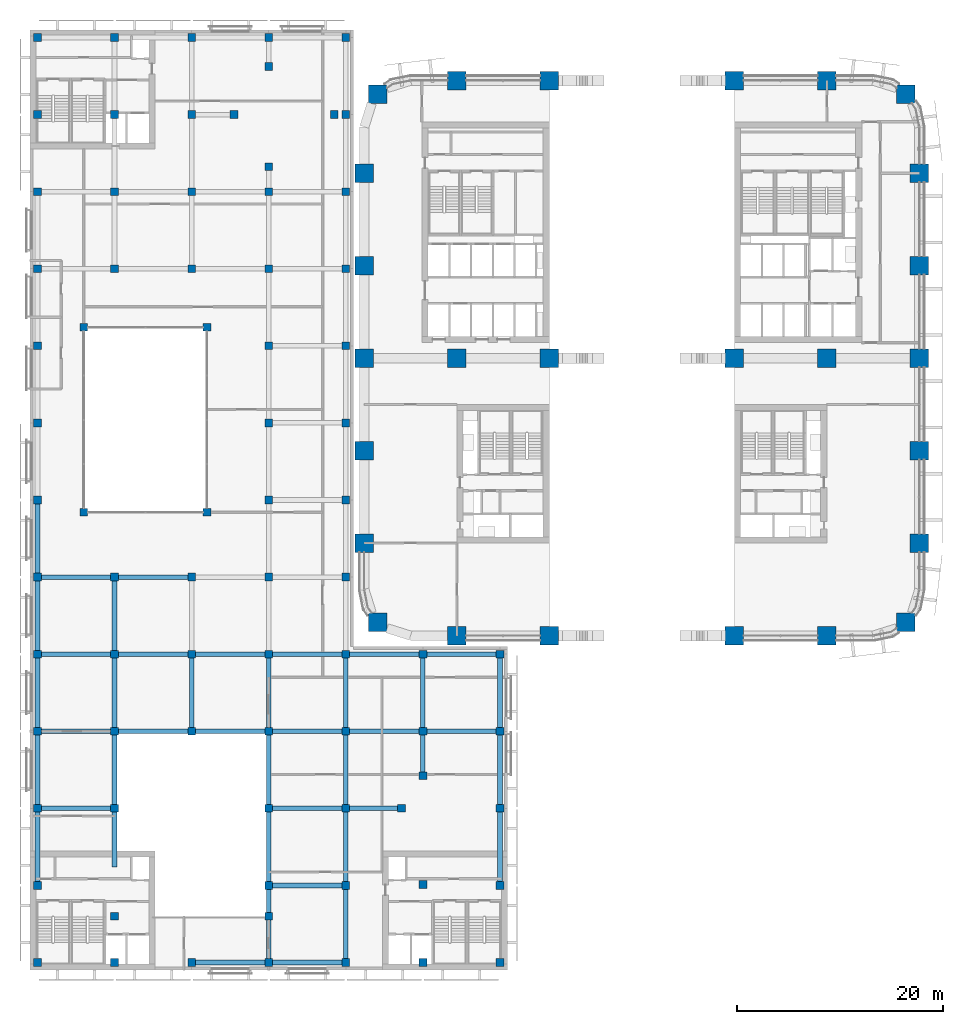
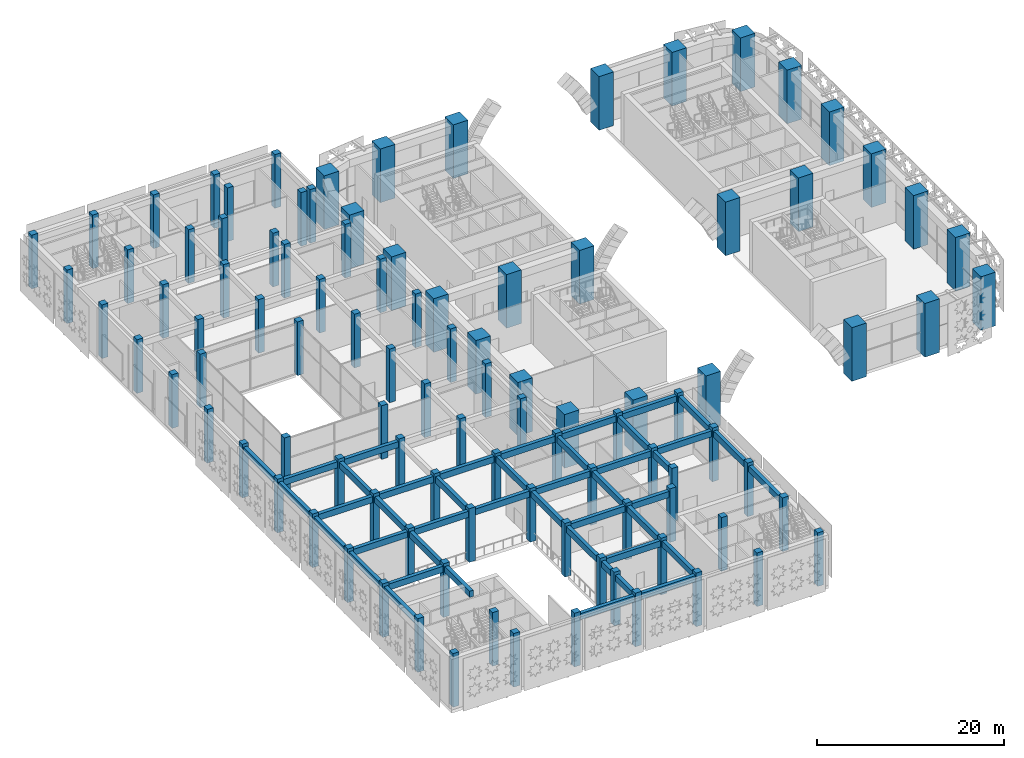
# One storey, part 1 of 42: 102 columns, 44 beams.
"""IFC4 building model written with IfcOpenShell, lengths in metres."""

from ifc_helpers import new_model, si_unit, direction, frame, origin, origin_2d, place, context, subcontext, project, spatial, rectangle, extrude, material, material_profile, profile_set, type_object, element, save


model = new_model("IFC4")

# Units and contexts
model_context = context("Model", 3, precision=1e-05, world=origin(), true_north=direction((0.0, 1.0)))
body_context = subcontext(model_context, "Body", "Model", "MODEL_VIEW")
ifc_project = project(units=[si_unit("LENGTHUNIT", "METRE"), si_unit("AREAUNIT", "SQUARE_METRE"), si_unit("VOLUMEUNIT", "CUBIC_METRE"), si_unit("PLANEANGLEUNIT", "RADIAN"), si_unit("MASSUNIT", "GRAM", prefix="KILO")], contexts=[model_context])

# Site, building, storey
site_placement = place(None, origin())
site = spatial("IfcSite", under=ifc_project, at=site_placement, CompositionType="ELEMENT")
building_placement = place(site_placement, origin())
building = spatial("IfcBuilding", under=site, at=building_placement, Name="Tessera Arch", CompositionType="ELEMENT")
storey_placement = place(building_placement, frame((0.0, 0.0, 14.0)))
storey = spatial("IfcBuildingStorey", under=building, at=storey_placement, Name="L02", CompositionType="ELEMENT", Elevation=14.0)

# Columns
ifc_material_1 = material(Name="Concrete C40/50", Category="concrete")
ifc_material_profile_1 = material_profile(ifc_material_1, rectangle(XDim=0.75, YDim=0.75, at=origin_2d()), Name="Museum column 750 x 750 Concrete C40/50")
ifc_profile_set_1 = profile_set([ifc_material_profile_1], Name="Concrete C40/50")
column_type_1 = type_object("IfcColumnType", Name="Museum column 750 x 750 Concrete C40/50", PredefinedType="COLUMN", material=ifc_profile_set_1)
for number, where, z_axis, x_axis, name in (
    (1, (-31.800048828125, -31.800048828125, 0.0), (0.0, 0.0, 1.0), (1.0, 0.0, 0.0), "Museum column P1Q1 L02"),
    (2, (-31.800048828125, -24.300048828125, 0.0), (0.0, 0.0, 1.0), (1.0, 0.0, 0.0), "Museum column P1Q2 L02"),
    (3, (-31.800048828125, -16.800048828125, 0.0), (0.0, 0.0, 1.0), (1.0, 0.0, 0.0), "Museum column P1Q3 L02"),
    (4, (-31.800048828125, -9.300048828125, 0.0), (0.0, 0.0, 1.0), (1.0, 0.0, 0.0), "Museum column P1Q4 L02"),
    (5, (-31.800048828125, -1.800048828125, 0.0), (0.0, 0.0, 1.0), (1.0, 0.0, 0.0), "Museum column P1Q5 L02"),
    (6, (-31.800048828125, 5.699951171875, 0.0), (0.0, 0.0, 1.0), (1.0, 0.0, 0.0), "Museum column P1Q6 L02"),
    (7, (-31.800048828125, 13.199951171875, 0.0), (0.0, 0.0, 1.0), (1.0, 0.0, 0.0), "Museum column P1Q7 L02"),
    (8, (-31.800048828125, 20.699951171875, 0.0), (0.0, 0.0, 1.0), (1.0, 0.0, 0.0), "Museum column P1Q8 L02"),
    (9, (-31.800048828125, 28.199951171875, 0.0), (0.0, 0.0, 1.0), (1.0, 0.0, 0.0), "Museum column P1Q9 L02"),
    (10, (-31.800048828125, 35.699951171875, 0.0), (0.0, 0.0, 1.0), (1.0, 0.0, 0.0), "Museum column P1Q10 L02"),
    (11, (-31.800048828125, 43.199951171875, 0.0), (0.0, 0.0, 1.0), (1.0, 0.0, 0.0), "Museum column P1Q11 L02"),
    (12, (-31.800048828125, 50.699951171875, 0.0), (0.0, 0.0, 1.0), (1.0, 0.0, 0.0), "Museum column P1Q12 L02"),
    (13, (-31.800048828125, 58.199951171875, 0.0), (0.0, 0.0, 1.0), (1.0, 0.0, 0.0), "Museum column P1Q13 L02"),
    (14, (-24.300048828125, -31.800048828125, 0.0), (0.0, 0.0, 1.0), (1.0, 0.0, 0.0), "Museum column P2Q1 L02"),
    (15, (-24.300048828125, -16.800048828125, 0.0), (0.0, 0.0, 1.0), (1.0, 0.0, 0.0), "Museum column P2Q3 L02"),
    (16, (-24.300048828125, -9.300048828125, 0.0), (0.0, 0.0, 1.0), (1.0, 0.0, 0.0), "Museum column P2Q4 L02"),
    (17, (-24.300048828125, -1.800048828125, 0.0), (0.0, 0.0, 1.0), (1.0, 0.0, 0.0), "Museum column P2Q5 L02"),
    (18, (-24.300048828125, 5.699951171875, 0.0), (0.0, 0.0, 1.0), (1.0, 0.0, 0.0), "Museum column P2Q6 L02"),
    (19, (-24.300048828125, 35.699951171875, 0.0), (0.0, 0.0, 1.0), (1.0, 0.0, 0.0), "Museum column P2Q10 L02"),
    (20, (-24.300048828125, 43.199951171875, 0.0), (0.0, 0.0, 1.0), (1.0, 0.0, 0.0), "Museum column P2Q11 L02"),
    (21, (-24.300048828125, 50.699951171875, 0.0), (0.0, 0.0, 1.0), (1.0, 0.0, 0.0), "Museum column P2Q12 L02"),
    (22, (-24.300048828125, 58.199951171875, 0.0), (0.0, 0.0, 1.0), (1.0, 0.0, 0.0), "Museum column P2Q13 L02"),
    (23, (-16.800048828125, -31.800048828125, 0.0), (0.0, 0.0, 1.0), (1.0, 0.0, 0.0), "Museum column P3Q1 L02"),
    (24, (-16.800048828125, -9.300048828125, 0.0), (0.0, 0.0, 1.0), (1.0, 0.0, 0.0), "Museum column P3Q4 L02"),
    (25, (-16.800048828125, -1.800048828125, 0.0), (0.0, 0.0, 1.0), (1.0, 0.0, 0.0), "Museum column P3Q5 L02"),
    (26, (-16.800048828125, 5.699951171875, 0.0), (0.0, 0.0, 1.0), (1.0, 0.0, 0.0), "Museum column P3Q6 L02"),
    (27, (-16.800048828125, 35.699951171875, 0.0), (0.0, 0.0, 1.0), (1.0, 0.0, 0.0), "Museum column P3Q10 L02"),
    (28, (-16.800048828125, 43.199951171875, 0.0), (0.0, 0.0, 1.0), (1.0, 0.0, 0.0), "Museum column P3Q11 L02"),
    (29, (-16.800048828125, 50.699951171875, 0.0), (0.0, 0.0, 1.0), (1.0, 0.0, 0.0), "Museum column P3Q12 L02"),
    (30, (-16.800048828125, 58.199951171875, 0.0), (0.0, 0.0, 1.0), (1.0, 0.0, 0.0), "Museum column P3Q13 L02"),
    (31, (-9.300048828125, -31.800048828125, 0.0), (0.0, 0.0, 1.0), (1.0, 0.0, 0.0), "Museum column P4Q1 L02"),
    (32, (-9.300048828125, -24.300048828125, 0.0), (0.0, 0.0, 1.0), (1.0, 0.0, 0.0), "Museum column P4Q2 L02"),
    (33, (-9.300048828125, -16.800048828125, 0.0), (0.0, 0.0, 1.0), (1.0, 0.0, 0.0), "Museum column P4Q3 L02"),
    (34, (-9.300048828125, -9.300048828125, 0.0), (0.0, 0.0, 1.0), (1.0, 0.0, 0.0), "Museum column P4Q4 L02"),
    (35, (-9.300048828125, -1.800048828125, 0.0), (0.0, 0.0, 1.0), (1.0, 0.0, 0.0), "Museum column P4Q5 L02"),
    (36, (-9.300048828125, 5.699951171875, 0.0), (0.0, 0.0, 1.0), (1.0, 0.0, 0.0), "Museum column P4Q6 L02"),
    (37, (-9.300048828125, 13.199951171875, 0.0), (0.0, 0.0, 1.0), (1.0, 0.0, 0.0), "Museum column P4Q7 L02"),
    (38, (-9.300048828125, 20.699951171875, 0.0), (0.0, 0.0, 1.0), (1.0, 0.0, 0.0), "Museum column P4Q8 L02"),
    (39, (-9.300048828125, 28.199951171875, 0.0), (0.0, 0.0, 1.0), (1.0, 0.0, 0.0), "Museum column P4Q9 L02"),
    (40, (-9.300048828125, 35.699951171875, 0.0), (0.0, 0.0, 1.0), (1.0, 0.0, 0.0), "Museum column P4Q10 L02"),
    (41, (-9.300048828125, 43.199951171875, 0.0), (0.0, 0.0, 1.0), (1.0, 0.0, 0.0), "Museum column P4Q11 L02"),
    (42, (-9.300048828125, 58.199951171875, 0.0), (0.0, 0.0, 1.0), (1.0, 0.0, 0.0), "Museum column P4Q13 L02"),
    (43, (-1.800048828125, -31.800048828125, 0.0), (0.0, 0.0, 1.0), (1.0, 0.0, 0.0), "Museum column P5Q1 L02"),
):
    element("IfcColumn", number, at=place(storey_placement, frame(where, z_axis=z_axis, x_axis=x_axis)), inside=storey, type_object=column_type_1, Name=name, PredefinedType="COLUMN", context=body_context, shape_type="SweptSolid", body=[
        extrude(rectangle(XDim=0.75, YDim=0.75, at=origin_2d()), origin(), (0.0, 0.0, 1.0), 7.0),
    ])
for number, where, z_axis, x_axis, name in (
    (44, (-1.800048828125, -24.300048828125, -0.409912109375), (0.0, 0.0, 1.0), (1.0, 0.0, 0.0), "Museum column P5Q2 L02"),
    (45, (-1.800048828125, -16.800048828125, -0.409912109375), (0.0, 0.0, 1.0), (1.0, 0.0, 0.0), "Museum column P5Q3 L02"),
    (46, (-1.800048828125, -9.300048828125, -0.409912109375), (0.0, 0.0, 1.0), (1.0, 0.0, 0.0), "Museum column P5Q4 L02"),
):
    element("IfcColumn", number, at=place(storey_placement, frame(where, z_axis=z_axis, x_axis=x_axis)), inside=storey, type_object=column_type_1, Name=name, PredefinedType="COLUMN", context=body_context, shape_type="SweptSolid", body=[
        extrude(rectangle(XDim=0.75, YDim=0.75, at=origin_2d()), origin(), (0.0, 0.0, 1.0), 7.409912109375),
    ])
for number, where, z_axis, x_axis, name in (
    (47, (-1.800048828125, -1.800048828125, 0.0), (0.0, 0.0, 1.0), (1.0, 0.0, 0.0), "Museum column P5Q5 L02"),
    (48, (-1.800048828125, 5.699951171875, 0.0), (0.0, 0.0, 1.0), (1.0, 0.0, 0.0), "Museum column P5Q6 L02"),
    (49, (-1.800048828125, 13.199951171875, 0.0), (0.0, 0.0, 1.0), (1.0, 0.0, 0.0), "Museum column P5Q7 L02"),
    (50, (-1.800048828125, 20.699951171875, 0.0), (0.0, 0.0, 1.0), (1.0, 0.0, 0.0), "Museum column P5Q8 L02"),
    (51, (-1.800048828125, 28.199951171875, 0.0), (0.0, 0.0, 1.0), (1.0, 0.0, 0.0), "Museum column P5Q9 L02"),
    (52, (-1.800048828125, 35.699951171875, 0.0), (0.0, 0.0, 1.0), (1.0, 0.0, 0.0), "Museum column P5Q10 L02"),
    (53, (-1.800048828125, 43.199951171875, 0.0), (0.0, 0.0, 1.0), (1.0, 0.0, 0.0), "Museum column P5Q11 L02"),
    (54, (-1.800048828125, 50.699951171875, 0.0), (0.0, 0.0, 1.0), (1.0, 0.0, 0.0), "Museum column P5Q12 L02"),
    (55, (-1.800048828125, 58.199951171875, 0.0), (0.0, 0.0, 1.0), (1.0, 0.0, 0.0), "Museum column P5Q13 L02"),
    (56, (5.699951171875, -31.800048828125, 0.0), (0.0, 0.0, 1.0), (1.0, 0.0, 0.0), "Museum column P6Q1 L02"),
    (57, (5.699951171875, -24.199951171875, 0.0), (0.0, 0.0, 1.0), (1.0, 0.0, 0.0), "Museum column P6Q2 L02"),
    (58, (5.699951171875, -9.300048828125, 0.0), (0.0, 0.0, 1.0), (1.0, 0.0, 0.0), "Museum column P6Q4 L02"),
    (59, (5.699951171875, -1.800048828125, 0.0), (0.0, 0.0, 1.0), (1.0, 0.0, 0.0), "Museum column P6Q5 L02"),
    (60, (13.199951171875, -31.800048828125, 0.0), (0.0, 0.0, 1.0), (1.0, 0.0, 0.0), "Museum column P7Q1 L02"),
    (61, (13.199951171875, -24.300048828125, 0.0), (0.0, 0.0, 1.0), (1.0, 0.0, 0.0), "Museum column P7Q2 L02"),
    (62, (13.199951171875, -16.800048828125, 0.0), (0.0, 0.0, 1.0), (1.0, 0.0, 0.0), "Museum column P7Q3 L02"),
    (63, (13.199951171875, -9.300048828125, 0.0), (0.0, 0.0, 1.0), (1.0, 0.0, 0.0), "Museum column P7Q4 L02"),
    (64, (13.199951171875, -1.800048828125, 0.0), (0.0, 0.0, 1.0), (1.0, 0.0, 0.0), "Museum column P7Q5 L02"),
    (65, (-27.300048828125, 12.0, 0.0), (0.0, 0.0, 1.0), (1.0, 0.0, 0.0), "Museum column C1 L02"),
    (66, (-15.300048828125, 12.0, 0.0), (0.0, 0.0, 1.0), (1.0, 0.0, 0.0), "Museum column C2 L02"),
    (67, (-15.300048828125, 30.0, 0.0), (0.0, 0.0, 1.0), (1.0, 0.0, 0.0), "Museum column C3 L02"),
    (68, (-27.300048828125, 30.0, 0.0), (0.0, 0.0, 1.0), (1.0, 0.0, 0.0), "Museum column C4 L02"),
    (69, (-24.300048828125, -27.300048828125, 0.0), (0.0, 0.0, 1.0), (1.0, 0.0, 0.0), "Museum column A1 L02"),
    (70, (-9.300048828125, -27.300048828125, 0.0), (0.0, 0.0, 1.0), (1.0, 0.0, 0.0), "Museum column A2 L02"),
    (71, (-12.675048828125, 50.699951171875, 0.0), (0.0, 0.0, 1.0), (1.0, 0.0, 0.0), "Museum column P3Q12TE L02"),
    (72, (-9.300048828125, 45.625, 0.0), (0.0, 0.0, 1.0), (1.0, 0.0, 0.0), "Museum column P4Q11TN L02"),
    (73, (-9.300048828125, 55.375, 0.0), (0.0, 0.0, 1.0), (1.0, 0.0, 0.0), "Museum column P4Q13TS L02"),
    (74, (3.625, -16.800048828125, 0.0), (0.0, 0.0, 1.0), (1.0, 0.0, 0.0), "Museum column P5Q3TE L02"),
    (75, (-2.925048828125, 50.699951171875, 0.0), (0.0, 0.0, 1.0), (1.0, 0.0, 0.0), "Museum column P5Q12TW L02"),
    (76, (5.699951171875, -13.625, 0.0), (0.0, 0.0, 1.0), (1.0, 0.0, 0.0), "Museum column P6Q4TS L02"),
):
    element("IfcColumn", number, at=place(storey_placement, frame(where, z_axis=z_axis, x_axis=x_axis)), inside=storey, type_object=column_type_1, Name=name, PredefinedType="COLUMN", context=body_context, shape_type="SweptSolid", body=[
        extrude(rectangle(XDim=0.75, YDim=0.75, at=origin_2d()), origin(), (0.0, 0.0, 1.0), 7.0),
    ])
ifc_material_2 = material(Name="Concrete C80/95", Category="concrete")
ifc_material_profile_2 = material_profile(ifc_material_2, rectangle(XDim=1.800048828125, YDim=1.800048828125, at=origin_2d()), Name="RC column 1800 x 1800 Concrete C80/95")
ifc_profile_set_2 = profile_set([ifc_material_profile_2], Name="Concrete C80/95")
column_type_2 = type_object("IfcColumnType", Name="RC column 1800 x 1800 Concrete C80/95", PredefinedType="COLUMN", material=ifc_profile_set_2)
for number, where, z_axis, x_axis, name in (
    (77, (1.318115234375, 1.318115234375, 0.0), (0.0, 0.0, 1.0), (1.0, 0.0, 0.0), "Column C1A L02"),
    (78, (0.0, 9.0, 0.0), (0.0, 0.0, 1.0), (1.0, 0.0, 0.0), "Column C1B L02"),
    (79, (0.0, 18.0, 0.0), (0.0, 0.0, 1.0), (1.0, 0.0, 0.0), "Column C1C L02"),
    (80, (0.0, 27.0, 0.0), (0.0, 0.0, 1.0), (1.0, 0.0, 0.0), "Column C1D L02"),
    (81, (0.0, 36.0, 0.0), (0.0, 0.0, 1.0), (1.0, 0.0, 0.0), "Column C1E L02"),
    (82, (0.0, 45.0, 0.0), (0.0, 0.0, 1.0), (1.0, 0.0, 0.0), "Column C1F L02"),
    (83, (1.318115234375, 52.681884765625, 0.0), (0.0, 0.0, 1.0), (1.0, 0.0, 0.0), "Column C1G L02"),
    (84, (9.0, 0.0, 0.0), (0.0, 0.0, 1.0), (1.0, 0.0, 0.0), "Column C2A L02"),
    (85, (9.0, 27.0, 0.0), (0.0, 0.0, 1.0), (1.0, 0.0, 0.0), "Column C2D L02"),
    (86, (9.0, 54.0, 0.0), (0.0, 0.0, 1.0), (1.0, 0.0, 0.0), "Column C2G L02"),
    (87, (18.0, 0.0, 0.0), (0.0, 0.0, 1.0), (1.0, 0.0, 0.0), "Column C3A L02"),
    (88, (18.0, 27.0, 0.0), (0.0, 0.0, 1.0), (1.0, 0.0, 0.0), "Column C3D L02"),
    (89, (18.0, 54.0, 0.0), (0.0, 0.0, 1.0), (1.0, 0.0, 0.0), "Column C3G L02"),
    (90, (36.0, 0.0, 0.0), (0.0, 0.0, 1.0), (1.0, 0.0, 0.0), "Column C5A L02"),
    (91, (36.0, 27.0, 0.0), (0.0, 0.0, 1.0), (1.0, 0.0, 0.0), "Column C5D L02"),
    (92, (36.0, 54.0, 0.0), (0.0, 0.0, 1.0), (1.0, 0.0, 0.0), "Column C5G L02"),
    (93, (45.0, 0.0, 0.0), (0.0, 0.0, 1.0), (1.0, 0.0, 0.0), "Column C6A L02"),
    (94, (45.0, 27.0, 0.0), (0.0, 0.0, 1.0), (1.0, 0.0, 0.0), "Column C6D L02"),
    (95, (45.0, 54.0, 0.0), (0.0, 0.0, 1.0), (1.0, 0.0, 0.0), "Column C6G L02"),
    (96, (52.681884765625, 1.318115234375, 0.0), (0.0, 0.0, 1.0), (1.0, 0.0, 0.0), "Column C7A L02"),
    (97, (54.0, 9.0, 0.0), (0.0, 0.0, 1.0), (1.0, 0.0, 0.0), "Column C7B L02"),
    (98, (54.0, 18.0, 0.0), (0.0, 0.0, 1.0), (1.0, 0.0, 0.0), "Column C7C L02"),
    (99, (54.0, 27.0, 0.0), (0.0, 0.0, 1.0), (1.0, 0.0, 0.0), "Column C7D L02"),
    (100, (54.0, 36.0, 0.0), (0.0, 0.0, 1.0), (1.0, 0.0, 0.0), "Column C7E L02"),
    (101, (54.0, 45.0, 0.0), (0.0, 0.0, 1.0), (1.0, 0.0, 0.0), "Column C7F L02"),
    (102, (52.681884765625, 52.681884765625, 0.0), (0.0, 0.0, 1.0), (1.0, 0.0, 0.0), "Column C7G L02"),
):
    element("IfcColumn", number, at=place(storey_placement, frame(where, z_axis=z_axis, x_axis=x_axis)), inside=storey, type_object=column_type_2, Name=name, PredefinedType="COLUMN", context=body_context, shape_type="SweptSolid", body=[
        extrude(rectangle(XDim=1.800048828125, YDim=1.800048828125, at=origin_2d()), origin(), (0.0, 0.0, 1.0), 7.0),
    ])

# Beams
ifc_material_3 = material(Name="Concrete C40/50", Category="concrete")
ifc_material_profile_3 = material_profile(ifc_material_3, rectangle(XDim=0.449951171875, YDim=0.800048828125, at=origin_2d()), Name="Museum beam 450 x 800 Concrete C40/50")
ifc_profile_set_3 = profile_set([ifc_material_profile_3], Name="Concrete C40/50")
beam_type = type_object("IfcBeamType", Name="Museum beam 450 x 800 Concrete C40/50", PredefinedType="BEAM", material=ifc_profile_set_3)
for number, where, z_axis, x_axis, name in (
    (103, (-31.800048828125, -23.925048828125, 6.18994140625), (0.0, 1.0, 0.0), (-1.0, 0.0, 0.0), "Museum beam L02 1"),
    (104, (-31.800048828125, -16.425048828125, 6.18994140625), (0.0, 1.0, 0.0), (-1.0, 0.0, 0.0), "Museum beam L02 2"),
    (105, (-31.800048828125, -8.925048828125, 6.18994140625), (0.0, 1.0, 0.0), (-1.0, 0.0, 0.0), "Museum beam L02 3"),
    (106, (-31.800048828125, -1.425048828125, 6.18994140625), (0.0, 1.0, 0.0), (-1.0, 0.0, 0.0), "Museum beam L02 4"),
    (107, (-31.800048828125, 6.074951171875, 6.18994140625), (0.0, 1.0, 0.0), (-1.0, 0.0, 0.0), "Museum beam L02 5"),
    (108, (-24.300048828125, -16.425048828125, 6.18994140625), (0.0, 1.0, 0.0), (-1.0, 0.0, 0.0), "Museum beam L02 10"),
    (109, (-24.300048828125, -8.925048828125, 6.18994140625), (0.0, 1.0, 0.0), (-1.0, 0.0, 0.0), "Museum beam L02 11"),
    (110, (-24.300048828125, -1.425048828125, 6.18994140625), (0.0, 1.0, 0.0), (-1.0, 0.0, 0.0), "Museum beam L02 12"),
    (111, (-16.800048828125, -8.925048828125, 6.18994140625), (0.0, 1.0, 0.0), (-1.0, 0.0, 0.0), "Museum beam L02 16"),
):
    element("IfcBeam", number, at=place(storey_placement, frame(where, z_axis=z_axis, x_axis=x_axis)), inside=storey, type_object=beam_type, Name=name, PredefinedType="BEAM", context=body_context, shape_type="SweptSolid", body=[
        extrude(rectangle(XDim=0.449951171875, YDim=0.800048828125, at=origin_2d()), origin(), (0.0, 0.0, 1.0), 6.75),
    ])
beam_1_placement = place(storey_placement, frame((-9.300048828125, -31.425048828125, 6.18994140625), z_axis=(0.0, 1.0, 0.0), x_axis=(-1.0, 0.0, 0.0)))
element("IfcBeam", 112, at=beam_1_placement, inside=storey, type_object=beam_type, Name="Museum beam L02 21", PredefinedType="BEAM", context=body_context, shape_type="SweptSolid", body=[
    extrude(rectangle(XDim=0.449951171875, YDim=0.800048828125, at=origin_2d()), origin(), (0.0, 0.0, 1.0), 3.75),
])
beam_2_placement = place(storey_placement, frame((-9.300048828125, -26.925048828125, 6.18994140625), z_axis=(0.0, 1.0, 0.0), x_axis=(-1.0, 0.0, 0.0)))
element("IfcBeam", 113, at=beam_2_placement, inside=storey, type_object=beam_type, Name="Museum beam L02 22", PredefinedType="BEAM", context=body_context, shape_type="SweptSolid", body=[
    extrude(rectangle(XDim=0.449951171875, YDim=0.800048828125, at=origin_2d()), origin(), (0.0, 0.0, 1.0), 2.25),
])
for number, where, z_axis, x_axis, name in (
    (114, (-9.300048828125, -23.925048828125, 6.18994140625), (0.0, 1.0, 0.0), (-1.0, 0.0, 0.0), "Museum beam L02 23"),
    (115, (-9.300048828125, -16.425048828125, 6.18994140625), (0.0, 1.0, 0.0), (-1.0, 0.0, 0.0), "Museum beam L02 24"),
    (116, (-9.300048828125, -8.925048828125, 6.18994140625), (0.0, 1.0, 0.0), (-1.0, 0.0, 0.0), "Museum beam L02 25"),
    (117, (-1.800048828125, -31.425048828125, 6.18994140625), (0.0, 1.0, 0.0), (-1.0, 0.0, 0.0), "Museum beam L02 34"),
    (118, (-1.800048828125, -23.925048828125, 6.18994140625), (0.0, 1.0, 0.0), (-1.0, 0.0, 0.0), "Museum beam L02 35"),
    (119, (-1.800048828125, -16.425048828125, 6.18994140625), (0.0, 1.0, 0.0), (-1.0, 0.0, 0.0), "Museum beam L02 36"),
    (120, (-1.800048828125, -8.925048828125, 6.18994140625), (0.0, 1.0, 0.0), (-1.0, 0.0, 0.0), "Museum beam L02 37"),
):
    element("IfcBeam", number, at=place(storey_placement, frame(where, z_axis=z_axis, x_axis=x_axis)), inside=storey, type_object=beam_type, Name=name, PredefinedType="BEAM", context=body_context, shape_type="SweptSolid", body=[
        extrude(rectangle(XDim=0.449951171875, YDim=0.800048828125, at=origin_2d()), origin(), (0.0, 0.0, 1.0), 6.75),
    ])
beam_3_placement = place(storey_placement, frame((5.699951171875, -13.25, 6.18994140625), z_axis=(0.0, 1.0, 0.0), x_axis=(-1.0, 0.0, 0.0)))
element("IfcBeam", 121, at=beam_3_placement, inside=storey, type_object=beam_type, Name="Museum beam L02 46", PredefinedType="BEAM", context=body_context, shape_type="SweptSolid", body=[
    extrude(rectangle(XDim=0.449951171875, YDim=0.800048828125, at=origin_2d()), origin(), (0.0, 0.0, 1.0), 3.574951171875),
])
for number, where, z_axis, x_axis, name in (
    (122, (5.699951171875, -8.925048828125, 6.18994140625), (0.0, 1.0, 0.0), (-1.0, 0.0, 0.0), "Museum beam L02 47"),
    (123, (13.199951171875, -23.925048828125, 6.18994140625), (0.0, 1.0, 0.0), (-1.0, 0.0, 0.0), "Museum beam L02 48"),
    (124, (13.199951171875, -16.425048828125, 6.18994140625), (0.0, 1.0, 0.0), (-1.0, 0.0, 0.0), "Museum beam L02 49"),
    (125, (13.199951171875, -8.925048828125, 6.18994140625), (0.0, 1.0, 0.0), (-1.0, 0.0, 0.0), "Museum beam L02 50"),
    (126, (-16.425048828125, -31.800048828125, 6.18994140625), (1.0, 0.0, 0.0), (0.0, 1.0, 0.0), "Museum beam L02 51"),
    (127, (-8.925048828125, -31.800048828125, 6.18994140625), (1.0, 0.0, 0.0), (0.0, 1.0, 0.0), "Museum beam L02 52"),
    (128, (-8.925048828125, -24.300048828125, 6.18994140625), (1.0, 0.0, 0.0), (0.0, 1.0, 0.0), "Museum beam L02 53"),
    (129, (-31.425048828125, -16.800048828125, 6.18994140625), (1.0, 0.0, 0.0), (0.0, 1.0, 0.0), "Museum beam L02 54"),
    (130, (-8.925048828125, -16.800048828125, 6.18994140625), (1.0, 0.0, 0.0), (0.0, 1.0, 0.0), "Museum beam L02 55"),
):
    element("IfcBeam", number, at=place(storey_placement, frame(where, z_axis=z_axis, x_axis=x_axis)), inside=storey, type_object=beam_type, Name=name, PredefinedType="BEAM", context=body_context, shape_type="SweptSolid", body=[
        extrude(rectangle(XDim=0.449951171875, YDim=0.800048828125, at=origin_2d()), origin(), (0.0, 0.0, 1.0), 6.75),
    ])
beam_4_placement = place(storey_placement, frame((-1.425048828125, -16.800048828125, 6.18994140625), z_axis=(1.0, 0.0, 0.0), x_axis=(0.0, 1.0, 0.0)))
element("IfcBeam", 131, at=beam_4_placement, inside=storey, type_object=beam_type, Name="Museum beam L02 56", PredefinedType="BEAM", context=body_context, shape_type="SweptSolid", body=[
    extrude(rectangle(XDim=0.449951171875, YDim=0.800048828125, at=origin_2d()), origin(), (0.0, 0.0, 1.0), 4.675048828125),
])
for number, where, z_axis, x_axis, name in (
    (132, (-31.425048828125, -9.300048828125, 6.18994140625), (1.0, 0.0, 0.0), (0.0, 1.0, 0.0), "Museum beam L02 57"),
    (133, (-23.925048828125, -9.300048828125, 6.18994140625), (1.0, 0.0, 0.0), (0.0, 1.0, 0.0), "Museum beam L02 58"),
    (134, (-16.425048828125, -9.300048828125, 6.18994140625), (1.0, 0.0, 0.0), (0.0, 1.0, 0.0), "Museum beam L02 59"),
    (135, (-8.925048828125, -9.300048828125, 6.18994140625), (1.0, 0.0, 0.0), (0.0, 1.0, 0.0), "Museum beam L02 60"),
    (136, (-1.425048828125, -9.300048828125, 6.18994140625), (1.0, 0.0, 0.0), (0.0, 1.0, 0.0), "Museum beam L02 61"),
    (137, (6.074951171875, -9.300048828125, 6.18994140625), (1.0, 0.0, 0.0), (0.0, 1.0, 0.0), "Museum beam L02 62"),
    (138, (-31.425048828125, -1.800048828125, 6.18994140625), (1.0, 0.0, 0.0), (0.0, 1.0, 0.0), "Museum beam L02 63"),
    (139, (-23.925048828125, -1.800048828125, 6.18994140625), (1.0, 0.0, 0.0), (0.0, 1.0, 0.0), "Museum beam L02 64"),
    (140, (-16.425048828125, -1.800048828125, 6.18994140625), (1.0, 0.0, 0.0), (0.0, 1.0, 0.0), "Museum beam L02 65"),
    (141, (-8.925048828125, -1.800048828125, 6.18994140625), (1.0, 0.0, 0.0), (0.0, 1.0, 0.0), "Museum beam L02 66"),
    (142, (-1.425048828125, -1.800048828125, 6.18994140625), (1.0, 0.0, 0.0), (0.0, 1.0, 0.0), "Museum beam L02 67"),
    (143, (6.074951171875, -1.800048828125, 6.18994140625), (1.0, 0.0, 0.0), (0.0, 1.0, 0.0), "Museum beam L02 68"),
    (144, (-31.425048828125, 5.699951171875, 6.18994140625), (1.0, 0.0, 0.0), (0.0, 1.0, 0.0), "Museum beam L02 69"),
    (145, (-23.925048828125, 5.699951171875, 6.18994140625), (1.0, 0.0, 0.0), (0.0, 1.0, 0.0), "Museum beam L02 70"),
):
    element("IfcBeam", number, at=place(storey_placement, frame(where, z_axis=z_axis, x_axis=x_axis)), inside=storey, type_object=beam_type, Name=name, PredefinedType="BEAM", context=body_context, shape_type="SweptSolid", body=[
        extrude(rectangle(XDim=0.449951171875, YDim=0.800048828125, at=origin_2d()), origin(), (0.0, 0.0, 1.0), 6.75),
    ])
beam_5_placement = place(storey_placement, frame((-24.300048828125, -17.175048828125, 6.18994140625), z_axis=(0.0, -1.0, 0.0), x_axis=(1.0, 0.0, 0.0)))
element("IfcBeam", 146, at=beam_5_placement, inside=storey, type_object=beam_type, Name="Museum beam L02 89", PredefinedType="BEAM", context=body_context, shape_type="SweptSolid", body=[
    extrude(rectangle(XDim=0.449951171875, YDim=0.800048828125, at=origin_2d()), origin(), (0.0, 0.0, 1.0), 5.324951171875),
])

save(model, "model.ifc")
